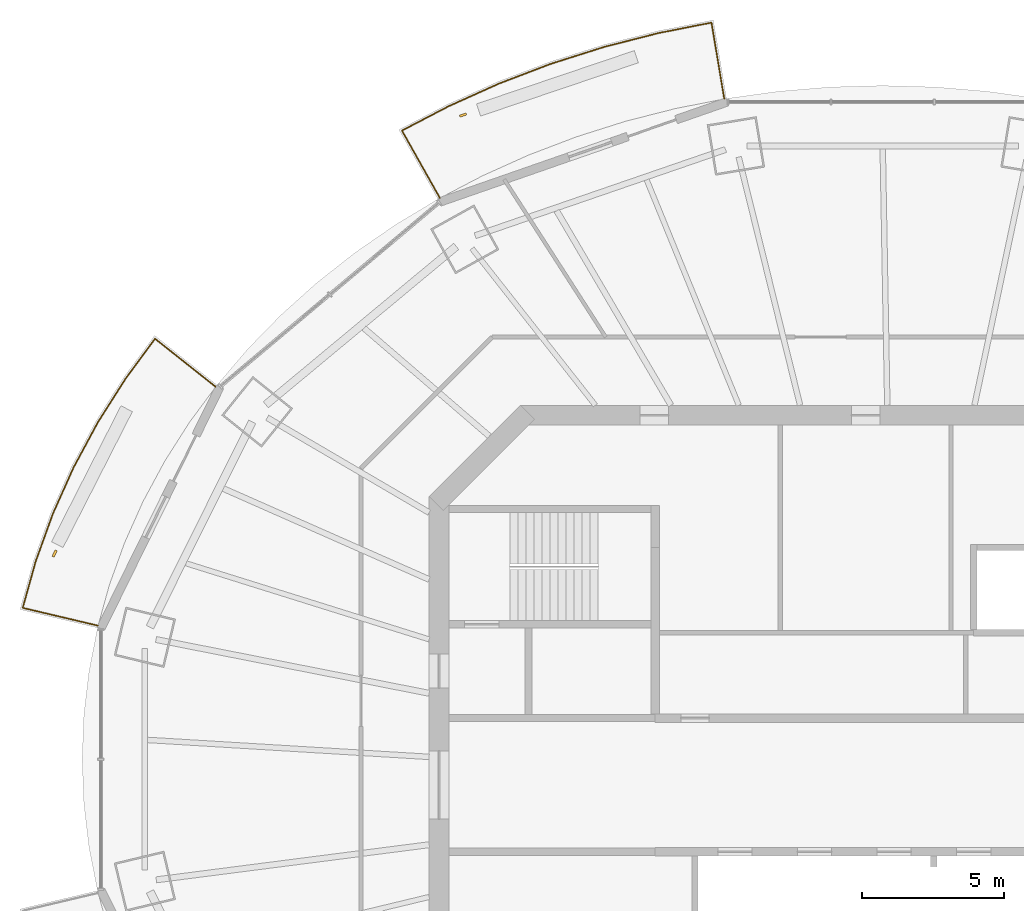
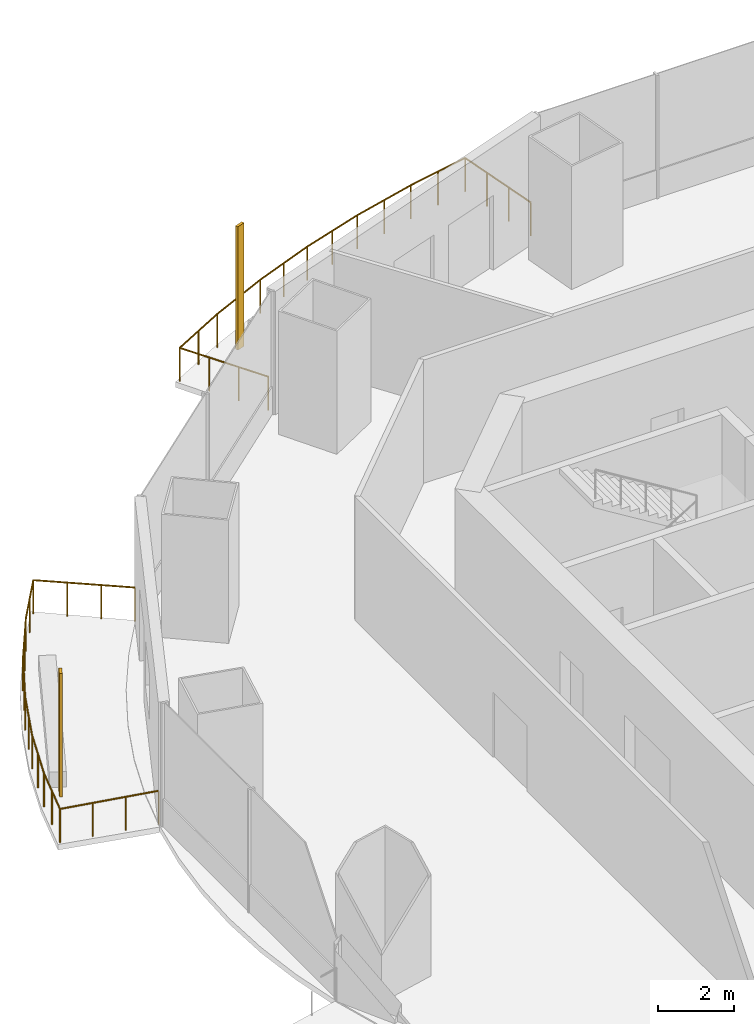
# One storey, part 14 of 16: 2 railings, 2 shading devices.
"""IFC4 building model written with IfcOpenShell, lengths in metres."""

from ifc_helpers import new_model, si_unit, direction, frame, origin, origin_2d, place, context, subcontext, project, spatial, rectangle, circle, extrude, material, material_profile, profile_set, type_object, element, save


model = new_model("IFC4")

# Units and contexts
model_context = context("Model", 3, precision=1e-05, world=origin(), true_north=direction((0.0, 1.0)))
body_context = subcontext(model_context, "Body", "Model", "MODEL_VIEW")
ifc_project = project(units=[si_unit("LENGTHUNIT", "METRE"), si_unit("AREAUNIT", "SQUARE_METRE"), si_unit("VOLUMEUNIT", "CUBIC_METRE"), si_unit("PLANEANGLEUNIT", "RADIAN"), si_unit("MASSUNIT", "GRAM", prefix="KILO")], contexts=[model_context])

# Site, building, storey
site_placement = place(None, origin())
site = spatial("IfcSite", under=ifc_project, at=site_placement, CompositionType="ELEMENT")
building_placement = place(site_placement, origin())
building = spatial("IfcBuilding", under=site, at=building_placement, Name="Marenthal Gate Tower", CompositionType="ELEMENT")
storey_placement = place(building_placement, frame((0.0, 0.0, 317.699951171875)))
storey = spatial("IfcBuildingStorey", under=building, at=storey_placement, Name="L71", CompositionType="ELEMENT", Elevation=317.699951171875)

# Railings
ifc_material_1 = material(Name="Stainless steel", Category="steel")
railing_type = type_object("IfcRailingType", Name="Balcony guard 1100", PredefinedType="GUARDRAIL", material=ifc_material_1)
railing_1_placement = place(storey_placement, frame((-15.9716796875, 20.638427734375, 0.0)))
element("IfcRailing", 1, at=railing_1_placement, inside=storey, type_object=railing_type, Name="Balcony guard L71 bay 5", PredefinedType="GUARDRAIL", context=body_context, shape_type="SweptSolid", body=[
    extrude(circle(Radius=0.02392578125, at=origin_2d()), frame((0.0, 0.0, 1.076171875), z_axis=(-0.490459508418, 0.871339682934, -0.014718272531), x_axis=(-0.871434076359, -0.490512640571, 0.0)), (0.0, 0.0, 1.0), 2.720458984375),
    extrude(circle(Radius=0.02392578125, at=origin_2d()), frame((-1.334228515625, 2.370361328125, 1.0361328125), z_axis=(0.88661074156, 0.462516370467, 0.0), x_axis=(-0.462516370467, 0.88661074156, 0.0)), (0.0, 0.0, 1.0), 1.84912109375),
    extrude(circle(Radius=0.02392578125, at=origin_2d()), frame((0.30517578125, 3.2255859375, 1.0361328125), z_axis=(0.911982656783, 0.4102287578, 0.0), x_axis=(-0.4102287578, 0.911982656783, 0.0)), (0.0, 0.0, 1.0), 1.94189453125),
    extrude(circle(Radius=0.02392578125, at=origin_2d()), frame((2.076171875, 4.022216796875, 1.0361328125), z_axis=(0.934378809017, 0.356281126723, 0.0), x_axis=(-0.356281126723, 0.934378809017, 0.0)), (0.0, 0.0, 1.0), 1.95361328125),
    extrude(circle(Radius=0.02392578125, at=origin_2d()), frame((3.901611328125, 4.71826171875, 1.0361328125), z_axis=(0.953300483084, 0.302023490729, 0.0), x_axis=(-0.302023490729, 0.953300483084, 0.0)), (0.0, 0.0, 1.0), 1.96435546875),
    extrude(circle(Radius=0.02392578125, at=origin_2d()), frame((5.774169921875, 5.3115234375, 1.0361328125), z_axis=(0.968929698625, 0.247336287518, 0.0), x_axis=(-0.247336287518, 0.968929698625, 0.0)), (0.0, 0.0, 1.0), 1.97314453125),
    extrude(circle(Radius=0.02392578125, at=origin_2d()), frame((7.68603515625, 5.799560546875, 1.0361328125), z_axis=(0.981061826101, 0.193694846002, 0.0), x_axis=(-0.193694846002, 0.981061826101, 0.0)), (0.0, 0.0, 1.0), 1.900634765625),
    extrude(circle(Radius=0.02392578125, at=origin_2d()), frame((9.55078125, 6.167724609375, 1.0361328125), z_axis=(0.165225230724, -0.986146026723, 0.014718597414), x_axis=(0.986252861995, 0.165243130591, 0.0)), (0.0, 0.0, 1.0), 2.72021484375),
    extrude(circle(Radius=0.02099609375, at=origin_2d()), origin(), (0.0, 0.0, 1.0), 1.052001953125),
    extrude(circle(Radius=0.02099609375, at=origin_2d()), frame((-0.44482421875, 0.7900390625, -0.013427734375)), (0.0, 0.0, 1.0), 1.052001953125),
    extrude(circle(Radius=0.02099609375, at=origin_2d()), frame((-0.889404296875, 1.580322265625, -0.026611328125)), (0.0, 0.0, 1.0), 1.052001953125),
    extrude(circle(Radius=0.02099609375, at=origin_2d()), frame((-1.334228515625, 2.370361328125, -0.0400390625)), (0.0, 0.0, 1.0), 1.052001953125),
    extrude(circle(Radius=0.02099609375, at=origin_2d()), frame((-0.5146484375, 2.7978515625, -0.0400390625)), (0.0, 0.0, 1.0), 1.052001953125),
    extrude(circle(Radius=0.02099609375, at=origin_2d()), frame((0.30517578125, 3.2255859375, -0.0400390625)), (0.0, 0.0, 1.0), 1.052001953125),
    extrude(circle(Radius=0.02099609375, at=origin_2d()), frame((1.190673828125, 3.6240234375, -0.0400390625)), (0.0, 0.0, 1.0), 1.052001953125),
    extrude(circle(Radius=0.02099609375, at=origin_2d()), frame((2.076171875, 4.022216796875, -0.0400390625)), (0.0, 0.0, 1.0), 1.052001953125),
    extrude(circle(Radius=0.02099609375, at=origin_2d()), frame((2.98876953125, 4.3701171875, -0.0400390625)), (0.0, 0.0, 1.0), 1.052001953125),
    extrude(circle(Radius=0.02099609375, at=origin_2d()), frame((3.901611328125, 4.71826171875, -0.0400390625)), (0.0, 0.0, 1.0), 1.052001953125),
    extrude(circle(Radius=0.02099609375, at=origin_2d()), frame((4.837890625, 5.014892578125, -0.0400390625)), (0.0, 0.0, 1.0), 1.052001953125),
    extrude(circle(Radius=0.02099609375, at=origin_2d()), frame((5.774169921875, 5.3115234375, -0.0400390625)), (0.0, 0.0, 1.0), 1.052001953125),
    extrude(circle(Radius=0.02099609375, at=origin_2d()), frame((6.72998046875, 5.5556640625, -0.0400390625)), (0.0, 0.0, 1.0), 1.052001953125),
    extrude(circle(Radius=0.02099609375, at=origin_2d()), frame((7.68603515625, 5.799560546875, -0.0400390625)), (0.0, 0.0, 1.0), 1.052001953125),
    extrude(circle(Radius=0.02099609375, at=origin_2d()), frame((8.618408203125, 5.983642578125, -0.0400390625)), (0.0, 0.0, 1.0), 1.052001953125),
    extrude(circle(Radius=0.02099609375, at=origin_2d()), frame((9.55078125, 6.167724609375, -0.0400390625)), (0.0, 0.0, 1.0), 1.052001953125),
    extrude(circle(Radius=0.02099609375, at=origin_2d()), frame((9.70068359375, 5.2734375, -0.026611328125)), (0.0, 0.0, 1.0), 1.052001953125),
    extrude(circle(Radius=0.02099609375, at=origin_2d()), frame((9.850341796875, 4.37939453125, -0.013427734375)), (0.0, 0.0, 1.0), 1.052001953125),
    extrude(circle(Radius=0.02099609375, at=origin_2d()), frame((10.000244140625, 3.485107421875, 0.0)), (0.0, 0.0, 1.0), 1.052001953125),
])
railing_2_placement = place(storey_placement, frame((-27.99462890625, 5.599853515625, 0.0)))
element("IfcRailing", 2, at=railing_2_placement, inside=storey, type_object=railing_type, Name="Balcony guard L71 bay 7", PredefinedType="GUARDRAIL", context=body_context, shape_type="SweptSolid", body=[
    extrude(circle(Radius=0.02392578125, at=origin_2d()), frame((0.0, 0.0, 1.076171875), z_axis=(-0.973117172157, 0.229839811666, -0.014718363574), x_axis=(-0.229864710837, -0.973222592582, 0.0)), (0.0, 0.0, 1.0), 2.720458984375),
    extrude(circle(Radius=0.02392578125, at=origin_2d()), frame((-2.647216796875, 0.625244140625, 1.0361328125), z_axis=(0.268699441424, 0.963224070598, 0.0), x_axis=(-0.963224070598, 0.268699441424, 0.0)), (0.0, 0.0, 1.0), 1.693603515625),
    extrude(circle(Radius=0.02392578125, at=origin_2d()), frame((-2.192138671875, 2.256591796875, 1.0361328125), z_axis=(0.33912231199, 0.940742290699, 0.0), x_axis=(-0.940742290699, 0.33912231199, 0.0)), (0.0, 0.0, 1.0), 1.781005859375),
    extrude(circle(Radius=0.02392578125, at=origin_2d()), frame((-1.588134765625, 3.93212890625, 1.0361328125), z_axis=(0.408186684853, 0.912898477547, 0.0), x_axis=(-0.912898477547, 0.408186684853, 0.0)), (0.0, 0.0, 1.0), 1.790771484375),
    extrude(circle(Radius=0.02392578125, at=origin_2d()), frame((-0.857177734375, 5.56689453125, 1.0361328125), z_axis=(0.473954337588, 0.880549422736, 0.0), x_axis=(-0.880549422736, 0.473954337588, 0.0)), (0.0, 0.0, 1.0), 1.80126953125),
    extrude(circle(Radius=0.02392578125, at=origin_2d()), frame((-0.00341796875, 7.153076171875, 1.0361328125), z_axis=(0.536204581752, 0.844088056134, 0.0), x_axis=(-0.844088056134, 0.536204581752, 0.0)), (0.0, 0.0, 1.0), 1.8134765625),
    extrude(circle(Radius=0.02392578125, at=origin_2d()), frame((0.968994140625, 8.683837890625, 1.0361328125), z_axis=(0.592931999647, 0.805252534174, 0.0), x_axis=(-0.805252534174, 0.592931999647, 0.0)), (0.0, 0.0, 1.0), 1.74658203125),
    extrude(circle(Radius=0.02392578125, at=origin_2d()), frame((2.004638671875, 10.09033203125, 1.0361328125), z_axis=(0.783412805751, -0.621327397665, 0.014718719228), x_axis=(0.621394711002, 0.78349767909, 0.0)), (0.0, 0.0, 1.0), 2.72021484375),
    extrude(circle(Radius=0.02099609375, at=origin_2d()), origin(), (0.0, 0.0, 1.0), 1.052001953125),
    extrude(circle(Radius=0.02099609375, at=origin_2d()), frame((-0.88232421875, 0.20849609375, -0.013427734375)), (0.0, 0.0, 1.0), 1.052001953125),
    extrude(circle(Radius=0.02099609375, at=origin_2d()), frame((-1.764892578125, 0.416748046875, -0.026611328125)), (0.0, 0.0, 1.0), 1.052001953125),
    extrude(circle(Radius=0.02099609375, at=origin_2d()), frame((-2.647216796875, 0.625244140625, -0.0400390625)), (0.0, 0.0, 1.0), 1.052001953125),
    extrude(circle(Radius=0.02099609375, at=origin_2d()), frame((-2.419677734375, 1.44091796875, -0.0400390625)), (0.0, 0.0, 1.0), 1.052001953125),
    extrude(circle(Radius=0.02099609375, at=origin_2d()), frame((-2.192138671875, 2.256591796875, -0.0400390625)), (0.0, 0.0, 1.0), 1.052001953125),
    extrude(circle(Radius=0.02099609375, at=origin_2d()), frame((-1.89013671875, 3.09423828125, -0.0400390625)), (0.0, 0.0, 1.0), 1.052001953125),
    extrude(circle(Radius=0.02099609375, at=origin_2d()), frame((-1.588134765625, 3.93212890625, -0.0400390625)), (0.0, 0.0, 1.0), 1.052001953125),
    extrude(circle(Radius=0.02099609375, at=origin_2d()), frame((-1.22265625, 4.74951171875, -0.0400390625)), (0.0, 0.0, 1.0), 1.052001953125),
    extrude(circle(Radius=0.02099609375, at=origin_2d()), frame((-0.857177734375, 5.56689453125, -0.0400390625)), (0.0, 0.0, 1.0), 1.052001953125),
    extrude(circle(Radius=0.02099609375, at=origin_2d()), frame((-0.43017578125, 6.35986328125, -0.0400390625)), (0.0, 0.0, 1.0), 1.052001953125),
    extrude(circle(Radius=0.02099609375, at=origin_2d()), frame((-0.00341796875, 7.153076171875, -0.0400390625)), (0.0, 0.0, 1.0), 1.052001953125),
    extrude(circle(Radius=0.02099609375, at=origin_2d()), frame((0.48291015625, 7.91845703125, -0.0400390625)), (0.0, 0.0, 1.0), 1.052001953125),
    extrude(circle(Radius=0.02099609375, at=origin_2d()), frame((0.968994140625, 8.683837890625, -0.0400390625)), (0.0, 0.0, 1.0), 1.052001953125),
    extrude(circle(Radius=0.02099609375, at=origin_2d()), frame((1.48681640625, 9.38720703125, -0.0400390625)), (0.0, 0.0, 1.0), 1.052001953125),
    extrude(circle(Radius=0.02099609375, at=origin_2d()), frame((2.004638671875, 10.09033203125, -0.0400390625)), (0.0, 0.0, 1.0), 1.052001953125),
    extrude(circle(Radius=0.02099609375, at=origin_2d()), frame((2.715087890625, 9.52685546875, -0.026611328125)), (0.0, 0.0, 1.0), 1.052001953125),
    extrude(circle(Radius=0.02099609375, at=origin_2d()), frame((3.42529296875, 8.963623046875, -0.013427734375)), (0.0, 0.0, 1.0), 1.052001953125),
    extrude(circle(Radius=0.02099609375, at=origin_2d()), frame((4.1357421875, 8.400146484375, 0.0)), (0.0, 0.0, 1.0), 1.052001953125),
])

# Shading devices
ifc_material_2 = material(Name="Terracotta", Category="masonry")
ifc_material_profile = material_profile(ifc_material_2, rectangle(XDim=0.25, YDim=0.080078125, at=origin_2d()), Name="Terracotta baguette 250x80")
ifc_profile_set = profile_set([ifc_material_profile], Name="Terracotta")
shading_device_type = type_object("IfcShadingDeviceType", Name="Terracotta BAGUETTE SCREEN 250x80", PredefinedType="USERDEFINED", material=ifc_profile_set)
for number, where, z_axis, x_axis, name in (
    (3, (-15.156494140625, 23.55615234375, -0.0400390625), (0.0, 0.0, 1.0), (-0.944249095616, -0.329231902203, 0.0), "Terracotta BAGUETTE L71 bay 5R"),
    (4, (-29.52001953125, 8.13720703125, -0.0400390625), (0.0, 0.0, 1.0), (-0.441517596382, -0.897252591016, 0.0), "Terracotta BAGUETTE L71 bay 7R"),
):
    element("IfcShadingDevice", number, at=place(storey_placement, frame(where, z_axis=z_axis, x_axis=x_axis)), inside=storey, type_object=shading_device_type, Name=name, ObjectType="BAGUETTE SCREEN", PredefinedType="USERDEFINED", context=body_context, shape_type="SweptSolid", body=[
        extrude(rectangle(XDim=0.25, YDim=0.080078125, at=origin_2d()), origin(), (0.0, 0.0, 1.0), 3.969970703125),
    ])

save(model, "model.ifc")
